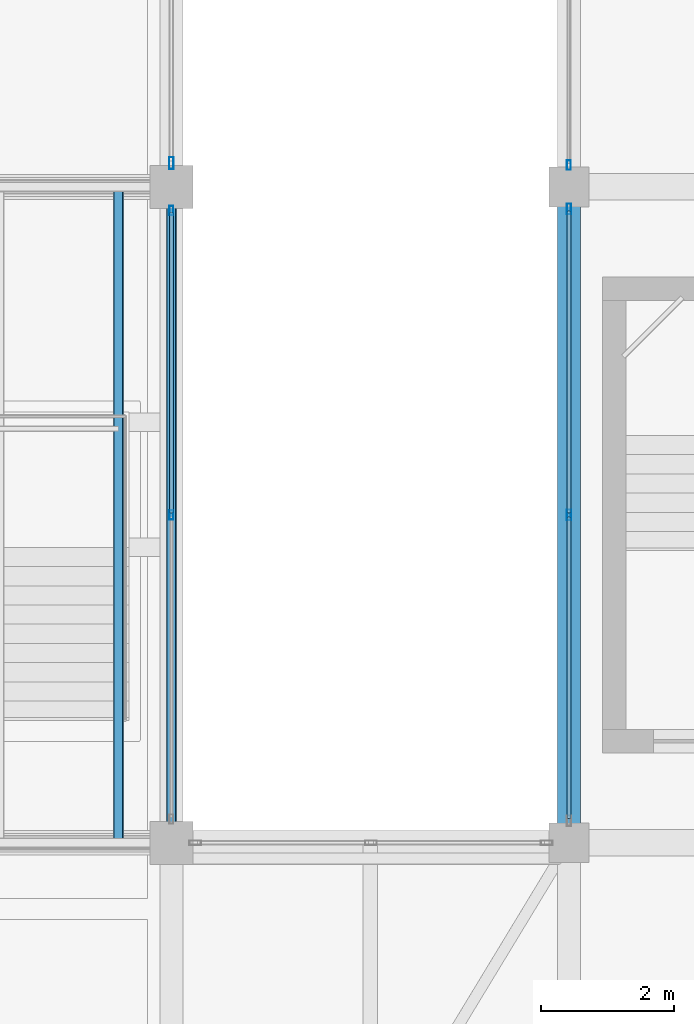
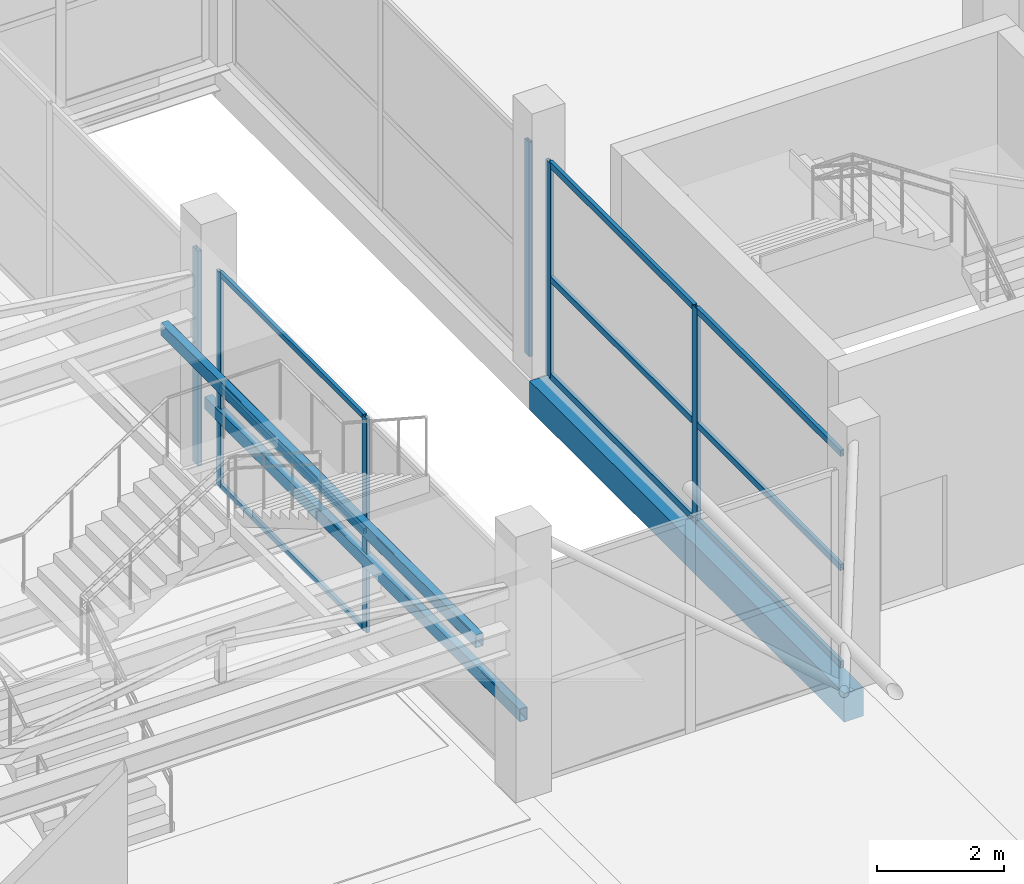
# One storey, part 29 of 66: 15 members, 3 beams, 4 elements without a shape of their own.
"""IFC4 building model written with IfcOpenShell, lengths in metres."""

from ifc_helpers import new_model, si_unit, direction, frame, origin, origin_2d, place, context, subcontext, project, spatial, rectangle, hollow_rectangle, extrude, material, layer, layer_set, material_profile, profile_set, type_object, element, aggregate, save


model = new_model("IFC4")

# Units and contexts
model_context = context("Model", 3, precision=1e-05, world=origin(), true_north=direction((0.0, 1.0)))
body_context = subcontext(model_context, "Body", "Model", "MODEL_VIEW")
ifc_project = project(units=[si_unit("LENGTHUNIT", "METRE"), si_unit("AREAUNIT", "SQUARE_METRE"), si_unit("VOLUMEUNIT", "CUBIC_METRE"), si_unit("PLANEANGLEUNIT", "RADIAN"), si_unit("MASSUNIT", "GRAM", prefix="KILO")], contexts=[model_context])

# Site, building, storey
site_placement = place(None, origin())
site = spatial("IfcSite", under=ifc_project, at=site_placement, CompositionType="ELEMENT")
building_placement = place(site_placement, origin())
building = spatial("IfcBuilding", under=site, at=building_placement, Name="Sillaruma Civic Art Gallery", CompositionType="ELEMENT")
storey_placement = place(building_placement, frame((0.0, 0.0, 57.1201171875)))
storey = spatial("IfcBuildingStorey", under=building, at=storey_placement, Name="L11", CompositionType="ELEMENT", Elevation=57.1201171875)

# Beams
ifc_material_1 = material(Name="Structural Steel ASTM A500 Gr.C", Category="steel")
ifc_material_profile_1 = material_profile(ifc_material_1, hollow_rectangle(XDim=0.14990234375, YDim=0.25, WallThickness=0.010009765625, InnerFilletRadius=0.010009765625, OuterFilletRadius=0.02001953125, at=origin_2d()), Name="HSS250x150x10")
ifc_profile_set_1 = profile_set([ifc_material_profile_1], Name="Structural Steel ASTM A500 Gr.C")
beam_type_1 = type_object("IfcBeamType", Name="BM-LND-HSS200", PredefinedType="BEAM", material=ifc_profile_set_1)
for number, where, z_axis, x_axis, name in (
    (1, (92.0, 49.5, 1.389892578125), (0.0, 1.0, 0.0), (-1.0, 0.0, 0.0), "Feature Stair L1 Rail (ST-G07-E)"),
    (2, (91.199951171875, 49.5, 3.08984375), (0.0, 1.0, 0.0), (-1.0, 0.0, 0.0), "Feature Stair L2 Girder (ST-G07-2)"),
):
    element("IfcBeam", number, at=place(storey_placement, frame(where, z_axis=z_axis, x_axis=x_axis)), inside=storey, type_object=beam_type_1, Name=name, PredefinedType="BEAM", context=body_context, shape_type="SweptSolid", body=[
        extrude(hollow_rectangle(XDim=0.14990234375, YDim=0.25, WallThickness=0.010009765625, InnerFilletRadius=0.010009765625, OuterFilletRadius=0.02001953125, at=origin_2d()), origin(), (0.0, 0.0, 1.0), 9.89990234375),
    ])
ifc_material_2 = material(Name="Concrete H35 (35 MPa)", Category="concrete")
ifc_material_profile_2 = material_profile(ifc_material_2, rectangle(XDim=0.35009765625, YDim=0.550048828125, at=origin_2d()), Name="RCB350x550")
ifc_profile_set_2 = profile_set([ifc_material_profile_2], Name="Concrete H35 (35 MPa)")
beam_type_2 = type_object("IfcBeamType", Name="BM-SPANDREL-RCB350x550", PredefinedType="SPANDREL", material=ifc_profile_set_2)
beam_placement = place(storey_placement, frame((98.0, 49.5, -0.525146484375), z_axis=(0.0, 1.0, 0.0), x_axis=(-1.0, 0.0, 0.0)))
element("IfcBeam", 3, at=beam_placement, inside=storey, type_object=beam_type_2, Name="Beam BS-04 (L10:L:6-7)", PredefinedType="SPANDREL", context=body_context, shape_type="SweptSolid", body=[
    extrude(rectangle(XDim=0.35009765625, YDim=0.550048828125, at=origin_2d()), origin(), (0.0, 0.0, 1.0), 9.89990234375),
])

# Curtain wall, members
ifc_material_3 = material(Name="Thermally Broken Extruded Aluminium 6063-T6", Category="aluminium")
ifc_layer_1 = layer(ifc_material_3, 0.139892578125, Name="Thermally Broken Extruded Aluminium 6063-T6")
ifc_layer_set_1 = layer_set([ifc_layer_1], Name="Thermally Broken Extruded Aluminium 6063-T6")
curtain_wall_type_1 = type_object("IfcCurtainWallType", Name="CW-UNI-71", PredefinedType="NOTDEFINED", material=ifc_layer_set_1)
curtain_wall_1_placement = place(storey_placement, origin())
curtain_wall_1 = element("IfcCurtainWall", 4, at=curtain_wall_1_placement, inside=storey, type_object=curtain_wall_type_1, Name="Unitised Curtain Wall CW-71 (CW-L11-WBE-4)", PredefinedType="NOTDEFINED")
ifc_material_profile_3 = material_profile(ifc_material_3, hollow_rectangle(XDim=0.06005859375, YDim=0.139892578125, WallThickness=0.00341796875, at=origin_2d()), Name="CWM60x140")
ifc_profile_set_3 = profile_set([ifc_material_profile_3], Name="Thermally Broken Extruded Aluminium 6063-T6")
member_type_1 = type_object("IfcMemberType", Name="MEM-MUL-CWM60x140", PredefinedType="MULLION", material=ifc_profile_set_3)
member_1_placement = place(storey_placement, frame((92.0, 54.449951171875, 0.0), z_axis=(0.0, 0.0, 1.0), x_axis=(-1.0, 0.0, 0.0)))
member_1 = element("IfcMember", 5, at=member_1_placement, type_object=member_type_1, Name="CW-71 mullion 2", PredefinedType="MULLION", context=body_context, shape_type="SweptSolid", body=[
    extrude(hollow_rectangle(XDim=0.06005859375, YDim=0.139892578125, WallThickness=0.00341796875, at=origin_2d()), origin(), (0.0, 0.0, 1.0), 4.119873046875),
])
member_2_placement = place(storey_placement, frame((92.0, 59.044921875, 0.0), z_axis=(0.0, 0.0, 1.0), x_axis=(-1.0, 0.0, 0.0)))
member_2 = element("IfcMember", 6, at=member_2_placement, type_object=member_type_1, Name="CW-71 mullion 3", PredefinedType="MULLION", context=body_context, shape_type="SweptSolid", body=[
    extrude(hollow_rectangle(XDim=0.06005859375, YDim=0.139892578125, WallThickness=0.00341796875, at=origin_2d()), origin(), (0.0, 0.0, 1.0), 4.119873046875),
])

# Curtain wall, member
ifc_layer_2 = layer(ifc_material_3, 0.139892578125, Name="Thermally Broken Extruded Aluminium 6063-T6")
ifc_layer_set_2 = layer_set([ifc_layer_2], Name="Thermally Broken Extruded Aluminium 6063-T6")
curtain_wall_type_2 = type_object("IfcCurtainWallType", Name="CW-UNI-77", PredefinedType="NOTDEFINED", material=ifc_layer_set_2)
curtain_wall_2_placement = place(storey_placement, origin())
curtain_wall_2 = element("IfcCurtainWall", 7, at=curtain_wall_2_placement, inside=storey, type_object=curtain_wall_type_2, Name="Unitised Curtain Wall CW-77 (CW-L11-EBW-5)", PredefinedType="NOTDEFINED")
member_3_placement = place(storey_placement, frame((98.0, 59.72998046875, 0.0), z_axis=(0.0, 0.0, 1.0), x_axis=(-1.0, 0.0, 0.0)))
member_3 = element("IfcMember", 8, at=member_3_placement, type_object=member_type_1, Name="CW-77 mullion 1", PredefinedType="MULLION", context=body_context, shape_type="SweptSolid", body=[
    extrude(hollow_rectangle(XDim=0.06005859375, YDim=0.139892578125, WallThickness=0.00341796875, at=origin_2d()), origin(), (0.0, 0.0, 1.0), 4.119873046875),
])
aggregate(curtain_wall_2, [member_3])

# Curtain wall, members
ifc_layer_3 = layer(ifc_material_3, 0.159912109375, Name="Thermally Broken Extruded Aluminium 6063-T6")
ifc_layer_set_3 = layer_set([ifc_layer_3], Name="Thermally Broken Extruded Aluminium 6063-T6")
curtain_wall_type_3 = type_object("IfcCurtainWallType", Name="CW-UNI-80", PredefinedType="NOTDEFINED", material=ifc_layer_set_3)
curtain_wall_3_placement = place(storey_placement, origin())
curtain_wall_3 = element("IfcCurtainWall", 9, at=curtain_wall_3_placement, inside=storey, type_object=curtain_wall_type_3, Name="Unitised Curtain Wall CW-80 (CW-L11-EBW-4)", PredefinedType="NOTDEFINED")
ifc_material_profile_4 = material_profile(ifc_material_3, hollow_rectangle(XDim=0.06494140625, YDim=0.159912109375, WallThickness=0.00390625, at=origin_2d()), Name="CWM65x160")
ifc_profile_set_4 = profile_set([ifc_material_profile_4], Name="Thermally Broken Extruded Aluminium 6063-T6")
member_type_2 = type_object("IfcMemberType", Name="MEM-MUL-CWM65x160", PredefinedType="MULLION", material=ifc_profile_set_4)
member_4_placement = place(storey_placement, frame((98.0, 54.449951171875, 0.0), z_axis=(0.0, 0.0, 1.0), x_axis=(-1.0, 0.0, 0.0)))
member_4 = element("IfcMember", 10, at=member_4_placement, type_object=member_type_2, Name="CW-80 mullion 2", PredefinedType="MULLION", context=body_context, shape_type="SweptSolid", body=[
    extrude(hollow_rectangle(XDim=0.06494140625, YDim=0.159912109375, WallThickness=0.00390625, at=origin_2d()), origin(), (0.0, 0.0, 1.0), 4.119873046875),
])
member_5_placement = place(storey_placement, frame((98.0, 59.0673828125, 0.0), z_axis=(0.0, 0.0, 1.0), x_axis=(-1.0, 0.0, 0.0)))
member_5 = element("IfcMember", 11, at=member_5_placement, type_object=member_type_2, Name="CW-80 mullion 3", PredefinedType="MULLION", context=body_context, shape_type="SweptSolid", body=[
    extrude(hollow_rectangle(XDim=0.06494140625, YDim=0.159912109375, WallThickness=0.00390625, at=origin_2d()), origin(), (0.0, 0.0, 1.0), 4.119873046875),
])

# Curtain wall, member
ifc_layer_4 = layer(ifc_material_3, 0.179931640625, Name="Thermally Broken Extruded Aluminium 6063-T6")
ifc_layer_set_4 = layer_set([ifc_layer_4], Name="Thermally Broken Extruded Aluminium 6063-T6")
curtain_wall_type_4 = type_object("IfcCurtainWallType", Name="CW-UNI-72", PredefinedType="NOTDEFINED", material=ifc_layer_set_4)
curtain_wall_4_placement = place(storey_placement, origin())
curtain_wall_4 = element("IfcCurtainWall", 12, at=curtain_wall_4_placement, inside=storey, type_object=curtain_wall_type_4, Name="Unitised Curtain Wall CW-72 (CW-L11-WBE-5)", PredefinedType="NOTDEFINED")
ifc_material_profile_5 = material_profile(ifc_material_3, hollow_rectangle(XDim=0.070068359375, YDim=0.179931640625, WallThickness=0.00390625, at=origin_2d()), Name="CWM70x180")
ifc_profile_set_5 = profile_set([ifc_material_profile_5], Name="Thermally Broken Extruded Aluminium 6063-T6")
member_type_3 = type_object("IfcMemberType", Name="MEM-MUL-CWM70x180", PredefinedType="MULLION", material=ifc_profile_set_5)
member_6_placement = place(storey_placement, frame((92.0, 59.760009765625, 0.0), z_axis=(0.0, 0.0, 1.0), x_axis=(-1.0, 0.0, 0.0)))
member_6 = element("IfcMember", 13, at=member_6_placement, type_object=member_type_3, Name="CW-72 mullion 1", PredefinedType="MULLION", context=body_context, shape_type="SweptSolid", body=[
    extrude(hollow_rectangle(XDim=0.070068359375, YDim=0.179931640625, WallThickness=0.00390625, at=origin_2d()), origin(), (0.0, 0.0, 1.0), 4.119873046875),
])
aggregate(curtain_wall_4, [member_6])

# Member
ifc_material_profile_6 = material_profile(ifc_material_3, hollow_rectangle(XDim=0.06005859375, YDim=0.10009765625, WallThickness=0.003173828125, at=origin_2d()), Name="CWT60x100")
ifc_profile_set_6 = profile_set([ifc_material_profile_6], Name="Thermally Broken Extruded Aluminium 6063-T6")
member_type_4 = type_object("IfcMemberType", Name="MEM-TRN-CWT60x100", PredefinedType="USERDEFINED", material=ifc_profile_set_6)
member_7_placement = place(storey_placement, frame((92.0, 54.47998046875, 0.02978515625), z_axis=(0.0, 1.0, 0.0), x_axis=(-1.0, 0.0, 0.0)))
member_7 = element("IfcMember", 14, at=member_7_placement, type_object=member_type_4, Name="CW-71 transom 2.1", ObjectType="TRANSOM", PredefinedType="USERDEFINED", context=body_context, shape_type="SweptSolid", body=[
    extrude(hollow_rectangle(XDim=0.06005859375, YDim=0.10009765625, WallThickness=0.003173828125, at=origin_2d()), origin(), (0.0, 0.0, 1.0), 4.534912109375),
])

member_8_placement = place(storey_placement, frame((92.0, 54.47998046875, 1.89501953125), z_axis=(0.0, 1.0, 0.0), x_axis=(-1.0, 0.0, 0.0)))
member_8 = element("IfcMember", 15, at=member_8_placement, type_object=member_type_4, Name="CW-71 transom 2.2", ObjectType="TRANSOM", PredefinedType="USERDEFINED", context=body_context, shape_type="SweptSolid", body=[
    extrude(hollow_rectangle(XDim=0.06005859375, YDim=0.10009765625, WallThickness=0.003173828125, at=origin_2d()), origin(), (0.0, 0.0, 1.0), 4.534912109375),
])

member_9_placement = place(storey_placement, frame((92.0, 54.47998046875, 4.08984375), z_axis=(0.0, 1.0, 0.0), x_axis=(-1.0, 0.0, 0.0)))
member_9 = element("IfcMember", 16, at=member_9_placement, type_object=member_type_4, Name="CW-71 transom 2.3", ObjectType="TRANSOM", PredefinedType="USERDEFINED", context=body_context, shape_type="SweptSolid", body=[
    extrude(hollow_rectangle(XDim=0.06005859375, YDim=0.10009765625, WallThickness=0.003173828125, at=origin_2d()), origin(), (0.0, 0.0, 1.0), 4.534912109375),
])

aggregate(curtain_wall_1, [member_1, member_2, member_7, member_8, member_9])

ifc_material_profile_7 = material_profile(ifc_material_3, hollow_rectangle(XDim=0.06494140625, YDim=0.1201171875, WallThickness=0.00341796875, at=origin_2d()), Name="CWT65x120")
ifc_profile_set_7 = profile_set([ifc_material_profile_7], Name="Thermally Broken Extruded Aluminium 6063-T6")
member_type_5 = type_object("IfcMemberType", Name="MEM-TRN-CWT65x120", PredefinedType="USERDEFINED", material=ifc_profile_set_7)
member_10_placement = place(storey_placement, frame((98.0, 49.864990234375, 0.032470703125), z_axis=(0.0, 1.0, 0.0), x_axis=(-1.0, 0.0, 0.0)))
member_10 = element("IfcMember", 17, at=member_10_placement, type_object=member_type_5, Name="CW-80 transom 1.1", ObjectType="TRANSOM", PredefinedType="USERDEFINED", context=body_context, shape_type="SweptSolid", body=[
    extrude(hollow_rectangle(XDim=0.06494140625, YDim=0.1201171875, WallThickness=0.00341796875, at=origin_2d()), origin(), (0.0, 0.0, 1.0), 4.552490234375),
])

member_11_placement = place(storey_placement, frame((98.0, 49.864990234375, 1.89501953125), z_axis=(0.0, 1.0, 0.0), x_axis=(-1.0, 0.0, 0.0)))
member_11 = element("IfcMember", 18, at=member_11_placement, type_object=member_type_5, Name="CW-80 transom 1.2", ObjectType="TRANSOM", PredefinedType="USERDEFINED", context=body_context, shape_type="SweptSolid", body=[
    extrude(hollow_rectangle(XDim=0.06494140625, YDim=0.1201171875, WallThickness=0.00341796875, at=origin_2d()), origin(), (0.0, 0.0, 1.0), 4.552490234375),
])

member_12_placement = place(storey_placement, frame((98.0, 49.864990234375, 4.08740234375), z_axis=(0.0, 1.0, 0.0), x_axis=(-1.0, 0.0, 0.0)))
member_12 = element("IfcMember", 19, at=member_12_placement, type_object=member_type_5, Name="CW-80 transom 1.3", ObjectType="TRANSOM", PredefinedType="USERDEFINED", context=body_context, shape_type="SweptSolid", body=[
    extrude(hollow_rectangle(XDim=0.06494140625, YDim=0.1201171875, WallThickness=0.00341796875, at=origin_2d()), origin(), (0.0, 0.0, 1.0), 4.552490234375),
])

member_13_placement = place(storey_placement, frame((98.0, 54.482421875, 0.032470703125), z_axis=(0.0, 1.0, 0.0), x_axis=(-1.0, 0.0, 0.0)))
member_13 = element("IfcMember", 20, at=member_13_placement, type_object=member_type_5, Name="CW-80 transom 2.1", ObjectType="TRANSOM", PredefinedType="USERDEFINED", context=body_context, shape_type="SweptSolid", body=[
    extrude(hollow_rectangle(XDim=0.06494140625, YDim=0.1201171875, WallThickness=0.00341796875, at=origin_2d()), origin(), (0.0, 0.0, 1.0), 4.552490234375),
])

member_14_placement = place(storey_placement, frame((98.0, 54.482421875, 1.89501953125), z_axis=(0.0, 1.0, 0.0), x_axis=(-1.0, 0.0, 0.0)))
member_14 = element("IfcMember", 21, at=member_14_placement, type_object=member_type_5, Name="CW-80 transom 2.2", ObjectType="TRANSOM", PredefinedType="USERDEFINED", context=body_context, shape_type="SweptSolid", body=[
    extrude(hollow_rectangle(XDim=0.06494140625, YDim=0.1201171875, WallThickness=0.00341796875, at=origin_2d()), origin(), (0.0, 0.0, 1.0), 4.552490234375),
])

member_15_placement = place(storey_placement, frame((98.0, 54.482421875, 4.08740234375), z_axis=(0.0, 1.0, 0.0), x_axis=(-1.0, 0.0, 0.0)))
member_15 = element("IfcMember", 22, at=member_15_placement, type_object=member_type_5, Name="CW-80 transom 2.3", ObjectType="TRANSOM", PredefinedType="USERDEFINED", context=body_context, shape_type="SweptSolid", body=[
    extrude(hollow_rectangle(XDim=0.06494140625, YDim=0.1201171875, WallThickness=0.00341796875, at=origin_2d()), origin(), (0.0, 0.0, 1.0), 4.552490234375),
])

aggregate(curtain_wall_3, [member_4, member_5, member_10, member_11, member_12, member_13, member_14, member_15])

save(model, "model.ifc")
